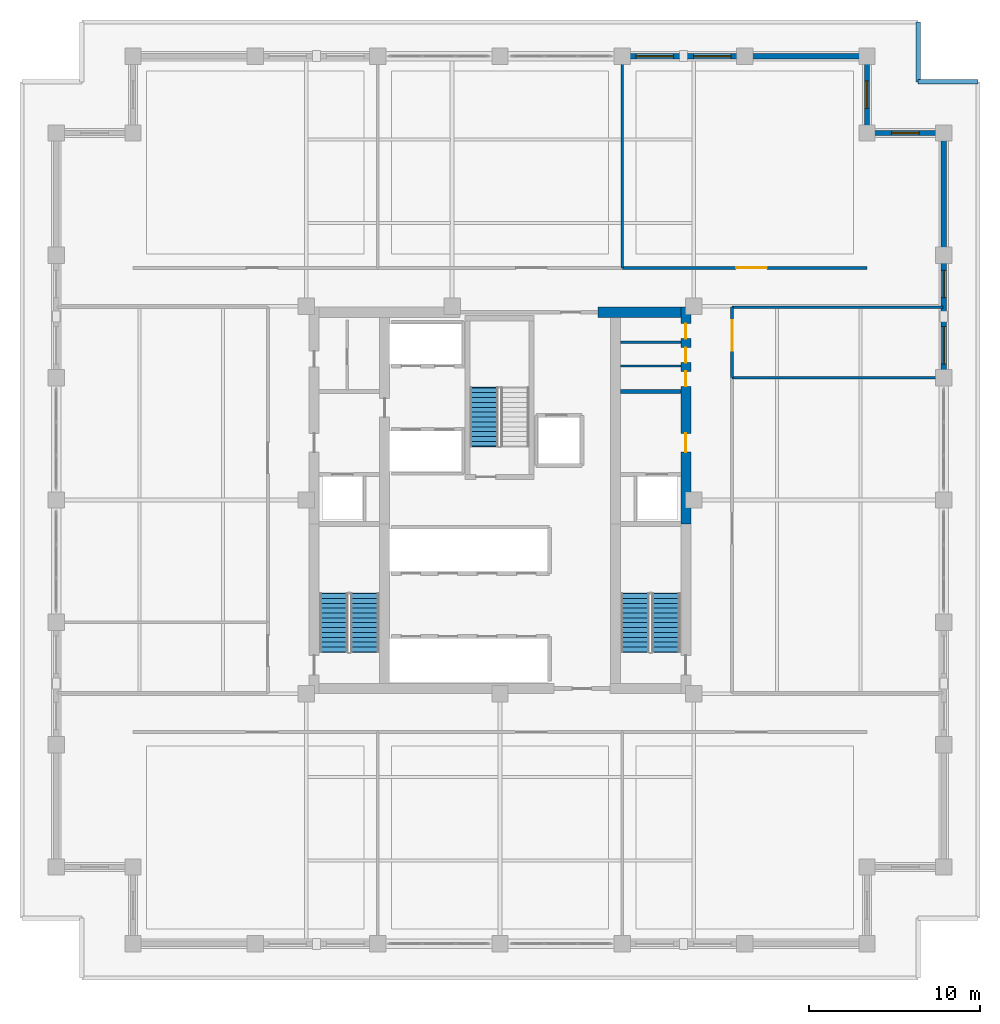
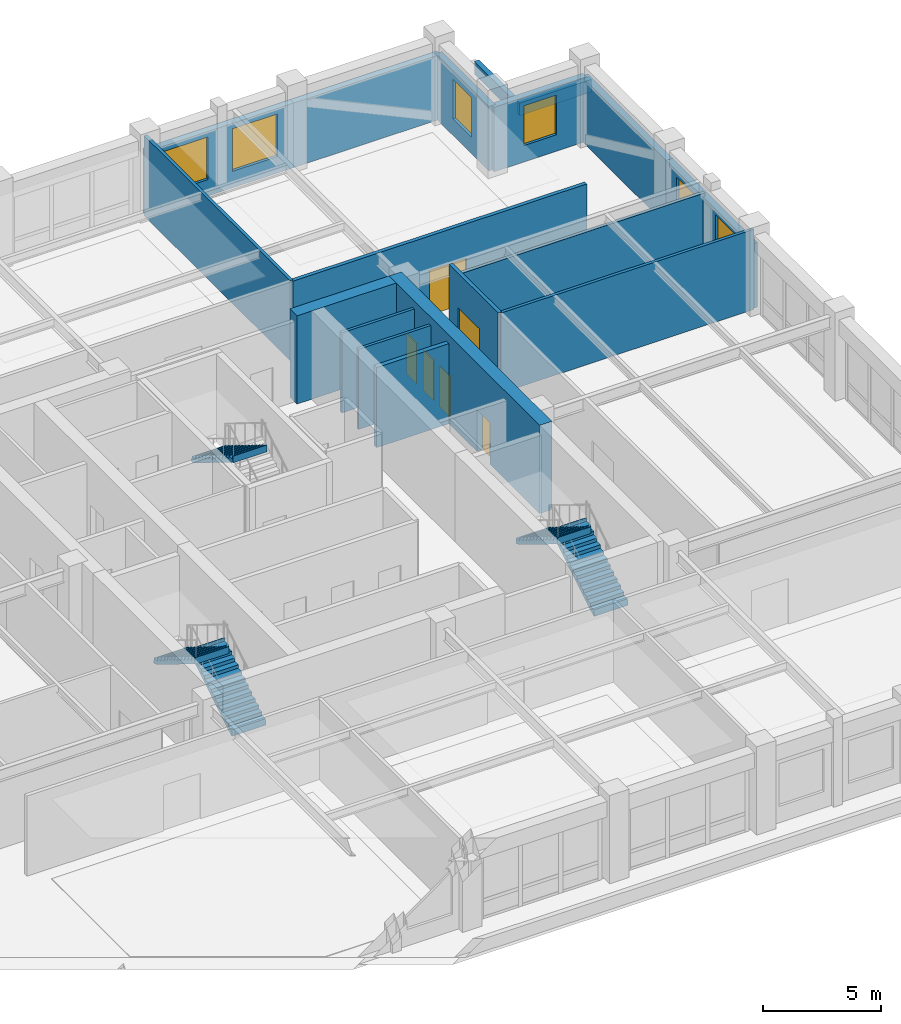
# One storey, part 11 of 16: 18 walls, 6 doors, 6 windows, 5 stair flights, 12 openings, 3 elements without a shape of their own.
"""IFC4 building model written with IfcOpenShell, lengths in metres."""

from ifc_helpers import new_model, si_unit, direction, frame, frame_2d, origin, place, context, subcontext, project, spatial, polyline, rectangle, outline, extrude, material, layer, layer_set, type_object, element, fill, aggregate, save


model = new_model("IFC4")

# Units and contexts
model_context = context("Model", 3, precision=1e-05, world=origin(), true_north=direction((0.0, 1.0)))
body_context = subcontext(model_context, "Body", "Model", "MODEL_VIEW")
ifc_project = project(units=[si_unit("LENGTHUNIT", "METRE"), si_unit("AREAUNIT", "SQUARE_METRE"), si_unit("VOLUMEUNIT", "CUBIC_METRE"), si_unit("PLANEANGLEUNIT", "RADIAN"), si_unit("MASSUNIT", "GRAM", prefix="KILO")], contexts=[model_context])

# Site, building, storey
site_placement = place(None, origin())
site = spatial("IfcSite", under=ifc_project, at=site_placement, CompositionType="ELEMENT")
building_placement = place(site_placement, origin())
building = spatial("IfcBuilding", under=site, at=building_placement, Name="Nhamokura Convention Tower", CompositionType="ELEMENT")
storey_placement = place(building_placement, frame((0.0, 0.0, 106.050048828125)))
storey = spatial("IfcBuildingStorey", under=building, at=storey_placement, Name="L25", CompositionType="ELEMENT", Elevation=106.050048828125)

# Walls
ifc_material_1 = material(Name="Moisture-resistant tile-backer partition", Category="masonry")
ifc_layer_1 = layer(ifc_material_1, 0.139892578125)
ifc_layer_set_1 = layer_set([ifc_layer_1], Name="BathroomWetWall_140")
wall_type_1 = type_object("IfcWallType", Name="BathroomWetWall_140", PredefinedType="STANDARD", material=ifc_layer_set_1)
for number, where, z_axis, x_axis, name in (
    (1, (39.06005859375, 39.85009765625, 0.0), (0.0, 0.0, 1.0), (1.0, 0.0, 0.0), "L25 Wall INT-L25-CWNE1"),
    (2, (39.06005859375, 41.25, 0.0), (0.0, 0.0, 1.0), (1.0, 0.0, 0.0), "L25 Wall INT-L25-CWNE2"),
):
    element("IfcWall", number, at=place(storey_placement, frame(where, z_axis=z_axis, x_axis=x_axis)), inside=storey, type_object=wall_type_1, Name=name, PredefinedType="STANDARD", context=body_context, shape_type="SweptSolid", body=[
        extrude(rectangle(XDim=3.530029296875, YDim=0.139892578125, at=frame_2d((1.76513671875, 0.0))), origin(), (0.0, 0.0, 1.0), 4.1298828125),
    ])

# Wall, openings, windows
ifc_material_2 = material(Name="Bronze-pigmented precast concrete C45/55", Category="concrete")
ifc_layer_2 = layer(ifc_material_2, 0.320068359375)
ifc_layer_set_2 = layer_set([ifc_layer_2], Name="BronzePrecastSpandrel_320")
wall_type_2 = type_object("IfcWallType", Name="BronzePrecastSpandrel_320", PredefinedType="USERDEFINED", material=ifc_layer_set_2)
wall_1_placement = place(storey_placement, frame((39.166748046875, 58.0, 0.0), z_axis=(0.0, 0.0, 1.0), x_axis=(1.0, 0.0, 0.0)))
wall_1 = element("IfcWall", 3, at=wall_1_placement, inside=storey, type_object=wall_type_2, Name="L25 Masonry-Frame Wall NORTH 4", ObjectType="SPANDREL_WALL", PredefinedType="USERDEFINED", context=body_context, shape_type="SweptSolid", body=[
    extrude(rectangle(XDim=7.16650390625, YDim=0.320068359375, at=frame_2d((3.583251953125, 0.0))), origin(), (0.0, 0.0, 1.0), 3.329833984375),
])
opening_1_placement = place(wall_1_placement, frame((0.791748046875, 0.0, 0.85009765625)))
opening_1 = element("IfcOpeningElement", 4, at=opening_1_placement, cuts=wall_1, Name="Opening W-06", PredefinedType="OPENING", context=body_context, shape_type="SweptSolid", body=[
    extrude(rectangle(XDim=2.199951171875, YDim=2.199951171875, at=frame_2d((1.10009765625, 1.10009765625))), frame((0.0, 0.169921875, 0.0), z_axis=(0.0, -1.0, 0.0), x_axis=(1.0, 0.0, 0.0)), (0.0, 0.0, 1.0), 0.340087890625),
])
opening_2_placement = place(wall_1_placement, frame((4.175048828125, 0.0, 0.85009765625)))
opening_2 = element("IfcOpeningElement", 5, at=opening_2_placement, cuts=wall_1, Name="Opening W-06", PredefinedType="OPENING", context=body_context, shape_type="SweptSolid", body=[
    extrude(rectangle(XDim=2.199951171875, YDim=2.199951171875, at=frame_2d((1.10009765625, 1.10009765625))), frame((0.0, 0.169921875, 0.0), z_axis=(0.0, -1.0, 0.0), x_axis=(1.0, 0.0, 0.0)), (0.0, 0.0, 1.0), 0.340087890625),
])
ifc_material_3 = material(Name="Solar-control bronze low-E double glass", Category="glass")
window_type_1 = type_object("IfcWindowType", Name="OfficeModuleWindow_Z2_2200", PartitioningType="SINGLE_PANEL", PredefinedType="WINDOW", material=ifc_material_3)
window_1_placement = place(opening_1_placement, origin())
window_1 = element("IfcWindow", 6, at=window_1_placement, inside=storey, type_object=window_type_1, Name="L25 Facade Window NORTH 4-1", OverallHeight=2.199951171875, OverallWidth=2.199951171875, PartitioningType="SINGLE_PANEL", PredefinedType="WINDOW", context=body_context, shape_type="SweptSolid", body=[
    extrude(rectangle(XDim=2.199951171875, YDim=2.199951171875, at=frame_2d((1.10009765625, 1.10009765625))), frame((0.0, 0.030029296875, 0.0), z_axis=(0.0, -1.0, 0.0), x_axis=(1.0, 0.0, 0.0)), (0.0, 0.0, 1.0), 0.06005859375),
])
fill(opening_1, window_1)
window_2_placement = place(opening_2_placement, origin())
window_2 = element("IfcWindow", 7, at=window_2_placement, inside=storey, type_object=window_type_1, Name="L25 Facade Window NORTH 4-2", OverallHeight=2.199951171875, OverallWidth=2.199951171875, PartitioningType="SINGLE_PANEL", PredefinedType="WINDOW", context=body_context, shape_type="SweptSolid", body=[
    extrude(rectangle(XDim=2.199951171875, YDim=2.199951171875, at=frame_2d((1.10009765625, 1.10009765625))), frame((0.0, 0.030029296875, 0.0), z_axis=(0.0, -1.0, 0.0), x_axis=(1.0, 0.0, 0.0)), (0.0, 0.0, 1.0), 0.06005859375),
])
fill(opening_2, window_2)

# Wall
wall_2_placement = place(storey_placement, frame((46.333251953125, 58.0, 0.0), z_axis=(0.0, 0.0, 1.0), x_axis=(1.0, 0.0, 0.0)))
element("IfcWall", 8, at=wall_2_placement, inside=storey, type_object=wall_type_2, Name="L25 Braced-Bay Precast Wall NORTH 5", ObjectType="SPANDREL_WALL", PredefinedType="USERDEFINED", context=body_context, shape_type="SweptSolid", body=[
    extrude(rectangle(XDim=7.166748046875, YDim=0.320068359375, at=frame_2d((3.58349609375, 0.0))), origin(), (0.0, 0.0, 1.0), 3.329833984375),
])

# Wall, openings, windows
wall_3_placement = place(storey_placement, frame((58.0, 46.333251953125, 0.0), z_axis=(0.0, 0.0, 1.0), x_axis=(0.0, -1.0, 0.0)))
wall_3 = element("IfcWall", 9, at=wall_3_placement, inside=storey, type_object=wall_type_2, Name="L25 Masonry-Frame Wall EAST 4", ObjectType="SPANDREL_WALL", PredefinedType="USERDEFINED", context=body_context, shape_type="SweptSolid", body=[
    extrude(rectangle(XDim=7.16650390625, YDim=0.320068359375, at=frame_2d((3.583251953125, 0.0))), origin(), (0.0, 0.0, 1.0), 3.329833984375),
])
opening_3_placement = place(wall_3_placement, frame((0.879150390625, 0.0, 0.85009765625)))
opening_3 = element("IfcOpeningElement", 10, at=opening_3_placement, cuts=wall_3, Name="Opening W-11", PredefinedType="OPENING", context=body_context, shape_type="SweptSolid", body=[
    extrude(rectangle(XDim=1.60009765625, YDim=2.14990234375, at=frame_2d((0.800048828125, 1.074951171875))), frame((0.0, 0.169921875, 0.0), z_axis=(0.0, -1.0, 0.0), x_axis=(1.0, 0.0, 0.0)), (0.0, 0.0, 1.0), 0.340087890625),
])
opening_4_placement = place(wall_3_placement, frame((4.175048828125, 0.0, 0.85009765625)))
opening_4 = element("IfcOpeningElement", 11, at=opening_4_placement, cuts=wall_3, Name="Opening W-06", PredefinedType="OPENING", context=body_context, shape_type="SweptSolid", body=[
    extrude(rectangle(XDim=2.199951171875, YDim=2.199951171875, at=frame_2d((1.10009765625, 1.10009765625))), frame((0.0, 0.169921875, 0.0), z_axis=(0.0, -1.0, 0.0), x_axis=(1.0, 0.0, 0.0)), (0.0, 0.0, 1.0), 0.340087890625),
])
ifc_material_4 = material(Name="Solar-control bronze low-E double glass", Category="glass")
window_type_2 = type_object("IfcWindowType", Name="NotchCornerWindow_1600", PartitioningType="SINGLE_PANEL", PredefinedType="WINDOW", material=ifc_material_4)
window_3_placement = place(opening_3_placement, origin())
window_3 = element("IfcWindow", 12, at=window_3_placement, inside=storey, type_object=window_type_2, Name="L25 Facade Window EAST 4-1", OverallHeight=2.14990234375, OverallWidth=1.60009765625, PartitioningType="SINGLE_PANEL", PredefinedType="WINDOW", context=body_context, shape_type="SweptSolid", body=[
    extrude(rectangle(XDim=1.60009765625, YDim=2.14990234375, at=frame_2d((0.800048828125, 1.074951171875))), frame((0.0, 0.030029296875, 0.0), z_axis=(0.0, -1.0, 0.0), x_axis=(1.0, 0.0, 0.0)), (0.0, 0.0, 1.0), 0.06005859375),
])
fill(opening_3, window_3)
window_4_placement = place(opening_4_placement, origin())
window_4 = element("IfcWindow", 13, at=window_4_placement, inside=storey, type_object=window_type_1, Name="L25 Facade Window EAST 4-2", OverallHeight=2.199951171875, OverallWidth=2.199951171875, PartitioningType="SINGLE_PANEL", PredefinedType="WINDOW", context=body_context, shape_type="SweptSolid", body=[
    extrude(rectangle(XDim=2.199951171875, YDim=2.199951171875, at=frame_2d((1.10009765625, 1.10009765625))), frame((0.0, 0.030029296875, 0.0), z_axis=(0.0, -1.0, 0.0), x_axis=(1.0, 0.0, 0.0)), (0.0, 0.0, 1.0), 0.06005859375),
])
fill(opening_4, window_4)

# Wall
wall_4_placement = place(storey_placement, frame((58.0, 53.5, 0.0), z_axis=(0.0, 0.0, 1.0), x_axis=(0.0, -1.0, 0.0)))
element("IfcWall", 14, at=wall_4_placement, inside=storey, type_object=wall_type_2, Name="L25 Braced-Bay Precast Wall EAST 5", ObjectType="SPANDREL_WALL", PredefinedType="USERDEFINED", context=body_context, shape_type="SweptSolid", body=[
    extrude(rectangle(XDim=7.166748046875, YDim=0.320068359375, at=frame_2d((3.58349609375, 0.0))), origin(), (0.0, 0.0, 1.0), 3.329833984375),
])

# Wall, opening, window
wall_5_placement = place(storey_placement, frame((53.5, 53.5, 0.0), z_axis=(0.0, 0.0, 1.0), x_axis=(1.0, 0.0, 0.0)))
wall_5 = element("IfcWall", 15, at=wall_5_placement, inside=storey, type_object=wall_type_2, Name="L25 Notched Corner Wall NE1", ObjectType="SPANDREL_WALL", PredefinedType="USERDEFINED", context=body_context, shape_type="SweptSolid", body=[
    extrude(rectangle(XDim=4.5, YDim=0.320068359375, at=frame_2d((2.25, 0.0))), origin(), (0.0, 0.0, 1.0), 3.329833984375),
])
opening_5_placement = place(wall_5_placement, frame((1.449951171875, 0.0, 0.85009765625)))
opening_5 = element("IfcOpeningElement", 16, at=opening_5_placement, cuts=wall_5, Name="Opening W-11", PredefinedType="OPENING", context=body_context, shape_type="SweptSolid", body=[
    extrude(rectangle(XDim=1.60009765625, YDim=2.050048828125, at=frame_2d((0.800048828125, 1.02490234375))), frame((0.0, 0.169921875, 0.0), z_axis=(0.0, -1.0, 0.0), x_axis=(1.0, 0.0, 0.0)), (0.0, 0.0, 1.0), 0.340087890625),
])
window_5_placement = place(opening_5_placement, origin())
window_5 = element("IfcWindow", 17, at=window_5_placement, inside=storey, type_object=window_type_2, Name="L25 Notched Corner Window NE1", OverallHeight=2.050048828125, OverallWidth=1.60009765625, PartitioningType="SINGLE_PANEL", PredefinedType="WINDOW", context=body_context, shape_type="SweptSolid", body=[
    extrude(rectangle(XDim=1.60009765625, YDim=2.050048828125, at=frame_2d((0.800048828125, 1.02490234375))), frame((0.0, 0.030029296875, 0.0), z_axis=(0.0, -1.0, 0.0), x_axis=(1.0, 0.0, 0.0)), (0.0, 0.0, 1.0), 0.06005859375),
])
fill(opening_5, window_5)

wall_6_placement = place(storey_placement, frame((53.5, 58.0, 0.0), z_axis=(0.0, 0.0, 1.0), x_axis=(0.0, -1.0, 0.0)))
wall_6 = element("IfcWall", 18, at=wall_6_placement, inside=storey, type_object=wall_type_2, Name="L25 Notched Corner Wall NE2", ObjectType="SPANDREL_WALL", PredefinedType="USERDEFINED", context=body_context, shape_type="SweptSolid", body=[
    extrude(rectangle(XDim=4.5, YDim=0.320068359375, at=frame_2d((2.25, 0.0))), origin(), (0.0, 0.0, 1.0), 3.329833984375),
])
opening_6_placement = place(wall_6_placement, frame((1.449951171875, 0.0, 0.85009765625)))
opening_6 = element("IfcOpeningElement", 19, at=opening_6_placement, cuts=wall_6, Name="Opening W-11", PredefinedType="OPENING", context=body_context, shape_type="SweptSolid", body=[
    extrude(rectangle(XDim=1.60009765625, YDim=2.050048828125, at=frame_2d((0.800048828125, 1.02490234375))), frame((0.0, 0.169921875, 0.0), z_axis=(0.0, -1.0, 0.0), x_axis=(1.0, 0.0, 0.0)), (0.0, 0.0, 1.0), 0.340087890625),
])
window_6_placement = place(opening_6_placement, origin())
window_6 = element("IfcWindow", 20, at=window_6_placement, inside=storey, type_object=window_type_2, Name="L25 Notched Corner Window NE2", OverallHeight=2.050048828125, OverallWidth=1.60009765625, PartitioningType="SINGLE_PANEL", PredefinedType="WINDOW", context=body_context, shape_type="SweptSolid", body=[
    extrude(rectangle(XDim=1.60009765625, YDim=2.050048828125, at=frame_2d((0.800048828125, 1.02490234375))), frame((0.0, 0.030029296875, 0.0), z_axis=(0.0, -1.0, 0.0), x_axis=(1.0, 0.0, 0.0)), (0.0, 0.0, 1.0), 0.06005859375),
])
fill(opening_6, window_6)

# Wall, openings, doors
ifc_material_5 = material(Name="Concrete C60/75", Category="concrete")
ifc_layer_3 = layer(ifc_material_5, 0.60009765625)
ifc_layer_set_3 = layer_set([ifc_layer_3], Name="CoreShearWall_600")
wall_type_3 = type_object("IfcWallType", Name="CoreShearWall_600", PredefinedType="SHEAR", material=ifc_layer_set_3)
wall_7_placement = place(storey_placement, frame((42.889892578125, 30.60009765625, 0.0), z_axis=(0.0, 0.0, 1.0), x_axis=(0.0, 1.0, 0.0)))
wall_7 = element("IfcWall", 21, at=wall_7_placement, inside=storey, type_object=wall_type_3, Name="L25 Core Shear Wall CW-EN", PredefinedType="SHEAR", context=body_context, shape_type="SweptSolid", body=[
    extrude(rectangle(XDim=12.699951171875, YDim=0.60009765625, at=frame_2d((6.35009765625, 0.0))), origin(), (0.0, 0.0, 1.0), 4.550048828125),
])
opening_7_placement = place(wall_7_placement, frame((4.199951171875, 0.0, 0.0)))
opening_7 = element("IfcOpeningElement", 22, at=opening_7_placement, cuts=wall_7, Name="Opening D-05", PredefinedType="OPENING", context=body_context, shape_type="SweptSolid", body=[
    extrude(rectangle(XDim=1.10009765625, YDim=2.14990234375, at=frame_2d((0.550048828125, 1.074951171875))), frame((0.0, 0.31005859375, 0.0), z_axis=(0.0, -1.0, 0.0), x_axis=(1.0, 0.0, 0.0)), (0.0, 0.0, 1.0), 0.6201171875),
])
opening_8_placement = place(wall_7_placement, frame((8.050048828125, 0.0, 0.0)))
opening_8 = element("IfcOpeningElement", 23, at=opening_8_placement, cuts=wall_7, Name="Opening D-11", PredefinedType="OPENING", context=body_context, shape_type="SweptSolid", body=[
    extrude(rectangle(XDim=0.8798828125, YDim=2.10009765625, at=frame_2d((0.43994140625, 1.050048828125))), frame((0.0, 0.31005859375, 0.0), z_axis=(0.0, -1.0, 0.0), x_axis=(1.0, 0.0, 0.0)), (0.0, 0.0, 1.0), 0.6201171875),
])
opening_9_placement = place(wall_7_placement, frame((9.449951171875, 0.0, 0.0)))
opening_9 = element("IfcOpeningElement", 24, at=opening_9_placement, cuts=wall_7, Name="Opening D-11", PredefinedType="OPENING", context=body_context, shape_type="SweptSolid", body=[
    extrude(rectangle(XDim=0.8798828125, YDim=2.10009765625, at=frame_2d((0.43994140625, 1.050048828125))), frame((0.0, 0.31005859375, 0.0), z_axis=(0.0, -1.0, 0.0), x_axis=(1.0, 0.0, 0.0)), (0.0, 0.0, 1.0), 0.6201171875),
])
opening_10_placement = place(wall_7_placement, frame((10.85009765625, 0.0, 0.0)))
opening_10 = element("IfcOpeningElement", 25, at=opening_10_placement, cuts=wall_7, Name="Opening D-11", PredefinedType="OPENING", context=body_context, shape_type="SweptSolid", body=[
    extrude(rectangle(XDim=0.8798828125, YDim=2.10009765625, at=frame_2d((0.43994140625, 1.050048828125))), frame((0.0, 0.31005859375, 0.0), z_axis=(0.0, -1.0, 0.0), x_axis=(1.0, 0.0, 0.0)), (0.0, 0.0, 1.0), 0.6201171875),
])
ifc_material_6 = material(Name="Solid oak hardwood", Category="wood")
door_type_1 = type_object("IfcDoorType", Name="BathroomDoor_880", OperationType="NOTDEFINED", PredefinedType="DOOR", material=ifc_material_6)
door_1_placement = place(opening_8_placement, origin())
door_1 = element("IfcDoor", 26, at=door_1_placement, inside=storey, type_object=door_type_1, Name="L25 Core Door INT-L25-D-MWC", OperationType="SINGLE_SWING_LEFT", OverallHeight=2.10009765625, OverallWidth=0.8798828125, PredefinedType="DOOR", context=body_context, shape_type="SweptSolid", body=[
    extrude(rectangle(XDim=0.8798828125, YDim=2.10009765625, at=frame_2d((0.43994140625, 1.050048828125))), frame((0.0, 0.02490234375, 0.0), z_axis=(0.0, -1.0, 0.0), x_axis=(1.0, 0.0, 0.0)), (0.0, 0.0, 1.0), 0.050048828125),
])
fill(opening_8, door_1)
door_2_placement = place(opening_9_placement, origin())
door_2 = element("IfcDoor", 27, at=door_2_placement, inside=storey, type_object=door_type_1, Name="L25 Core Door INT-L25-D-FWC", OperationType="SINGLE_SWING_RIGHT", OverallHeight=2.10009765625, OverallWidth=0.8798828125, PredefinedType="DOOR", context=body_context, shape_type="SweptSolid", body=[
    extrude(rectangle(XDim=0.8798828125, YDim=2.10009765625, at=frame_2d((0.43994140625, 1.050048828125))), frame((0.0, 0.02490234375, 0.0), z_axis=(0.0, -1.0, 0.0), x_axis=(1.0, 0.0, 0.0)), (0.0, 0.0, 1.0), 0.050048828125),
])
fill(opening_9, door_2)
door_3_placement = place(opening_10_placement, origin())
door_3 = element("IfcDoor", 28, at=door_3_placement, inside=storey, type_object=door_type_1, Name="L25 Core Door INT-L25-D-ARC", OperationType="SINGLE_SWING_LEFT", OverallHeight=2.10009765625, OverallWidth=0.8798828125, PredefinedType="DOOR", context=body_context, shape_type="SweptSolid", body=[
    extrude(rectangle(XDim=0.8798828125, YDim=2.10009765625, at=frame_2d((0.43994140625, 1.050048828125))), frame((0.0, 0.02490234375, 0.0), z_axis=(0.0, -1.0, 0.0), x_axis=(1.0, 0.0, 0.0)), (0.0, 0.0, 1.0), 0.050048828125),
])
fill(opening_10, door_3)
ifc_material_7 = material(Name="Fire-rated steel door", Category="steel")
door_type_2 = type_object("IfcDoorType", Name="FireLobbyDoor_1100", OperationType="NOTDEFINED", PredefinedType="DOOR", material=ifc_material_7)
door_4_placement = place(opening_7_placement, origin())
door_4 = element("IfcDoor", 29, at=door_4_placement, inside=storey, type_object=door_type_2, Name="L25 Core Door INT-L25-D-FFLE", OperationType="SINGLE_SWING_LEFT", OverallHeight=2.14990234375, OverallWidth=1.10009765625, PredefinedType="DOOR", context=body_context, shape_type="SweptSolid", body=[
    extrude(rectangle(XDim=1.10009765625, YDim=2.14990234375, at=frame_2d((0.550048828125, 1.074951171875))), frame((0.0, 0.02490234375, 0.0), z_axis=(0.0, -1.0, 0.0), x_axis=(1.0, 0.0, 0.0)), (0.0, 0.0, 1.0), 0.050048828125),
])
fill(opening_7, door_4)

# Wall
wall_8_placement = place(storey_placement, frame((37.75, 43.0, 0.0), z_axis=(0.0, 0.0, 1.0), x_axis=(1.0, 0.0, 0.0)))
element("IfcWall", 30, at=wall_8_placement, inside=storey, type_object=wall_type_3, Name="L25 Core Shear Wall CW-N2", PredefinedType="SHEAR", context=body_context, shape_type="SweptSolid", body=[
    extrude(rectangle(XDim=4.840087890625, YDim=0.60009765625, at=frame_2d((2.419921875, 0.0))), origin(), (0.0, 0.0, 1.0), 4.550048828125),
])

# Wall, opening, door
ifc_material_8 = material(Name="Fire-rated gypsum and masonry partition", Category="masonry")
ifc_layer_4 = layer(ifc_material_8, 0.179931640625)
ifc_layer_set_4 = layer_set([ifc_layer_4], Name="CorridorRatedWall_180")
wall_type_4 = type_object("IfcWallType", Name="CorridorRatedWall_180", PredefinedType="STANDARD", material=ifc_layer_set_4)
wall_9_placement = place(storey_placement, frame((39.166748046875, 45.60009765625, 0.0), z_axis=(0.0, 0.0, 1.0), x_axis=(1.0, 0.0, 0.0)))
wall_9 = element("IfcWall", 31, at=wall_9_placement, inside=storey, type_object=wall_type_4, Name="L25 Wall INT-L25-CW-N02", PredefinedType="STANDARD", context=body_context, shape_type="SweptSolid", body=[
    extrude(rectangle(XDim=14.333251953125, YDim=0.179931640625, at=frame_2d((7.16650390625, 0.0))), origin(), (0.0, 0.0, 1.0), 4.1298828125),
])
opening_11_placement = place(wall_9_placement, frame((6.66650390625, 0.0, 0.0)))
opening_11 = element("IfcOpeningElement", 32, at=opening_11_placement, cuts=wall_9, Name="Opening D-03", PredefinedType="OPENING", context=body_context, shape_type="SweptSolid", body=[
    extrude(rectangle(XDim=1.800048828125, YDim=2.35009765625, at=frame_2d((0.89990234375, 1.175048828125))), frame((0.0, 0.099853515625, 0.0), z_axis=(0.0, -1.0, 0.0), x_axis=(1.0, 0.0, 0.0)), (0.0, 0.0, 1.0), 0.199951171875),
])
ifc_material_9 = material(Name="Solid oak hardwood", Category="wood")
door_type_3 = type_object("IfcDoorType", Name="BallroomDoubleDoor_1800", OperationType="DOUBLE_DOOR_SINGLE_SWING", PredefinedType="DOOR", material=ifc_material_9)
door_5_placement = place(opening_11_placement, origin())
door_5 = element("IfcDoor", 33, at=door_5_placement, inside=storey, type_object=door_type_3, Name="L25 Private Office N03 Door", OperationType="SINGLE_SWING_LEFT", OverallHeight=2.35009765625, OverallWidth=1.800048828125, PredefinedType="DOOR", context=body_context, shape_type="SweptSolid", body=[
    extrude(rectangle(XDim=1.800048828125, YDim=2.35009765625, at=frame_2d((0.89990234375, 1.175048828125))), frame((0.0, 0.02490234375, 0.0), z_axis=(0.0, -1.0, 0.0), x_axis=(1.0, 0.0, 0.0)), (0.0, 0.0, 1.0), 0.050048828125),
])
fill(opening_11, door_5)

wall_10_placement = place(storey_placement, frame((45.60009765625, 39.166748046875, 0.0), z_axis=(0.0, 0.0, 1.0), x_axis=(0.0, 1.0, 0.0)))
wall_10 = element("IfcWall", 34, at=wall_10_placement, inside=storey, type_object=wall_type_4, Name="L25 Wall INT-L25-CW-E01", PredefinedType="STANDARD", context=body_context, shape_type="SweptSolid", body=[
    extrude(rectangle(XDim=4.13330078125, YDim=0.179931640625, at=frame_2d((2.066650390625, 0.0))), origin(), (0.0, 0.0, 1.0), 4.1298828125),
])
opening_12_placement = place(wall_10_placement, frame((1.566650390625, 0.0, 0.0)))
opening_12 = element("IfcOpeningElement", 35, at=opening_12_placement, cuts=wall_10, Name="Opening D-03", PredefinedType="OPENING", context=body_context, shape_type="SweptSolid", body=[
    extrude(rectangle(XDim=1.800048828125, YDim=2.35009765625, at=frame_2d((0.89990234375, 1.175048828125))), frame((0.0, 0.099853515625, 0.0), z_axis=(0.0, -1.0, 0.0), x_axis=(1.0, 0.0, 0.0)), (0.0, 0.0, 1.0), 0.199951171875),
])
door_6_placement = place(opening_12_placement, origin())
door_6 = element("IfcDoor", 36, at=door_6_placement, inside=storey, type_object=door_type_3, Name="L25 Private Office E02 Door", OperationType="SINGLE_SWING_RIGHT", OverallHeight=2.35009765625, OverallWidth=1.800048828125, PredefinedType="DOOR", context=body_context, shape_type="SweptSolid", body=[
    extrude(rectangle(XDim=1.800048828125, YDim=2.35009765625, at=frame_2d((0.89990234375, 1.175048828125))), frame((0.0, 0.02490234375, 0.0), z_axis=(0.0, -1.0, 0.0), x_axis=(1.0, 0.0, 0.0)), (0.0, 0.0, 1.0), 0.050048828125),
])
fill(opening_12, door_6)

# Walls
ifc_material_10 = material(Name="Autoclaved concrete blockwork", Category="masonry")
ifc_layer_5 = layer(ifc_material_10, 0.219970703125)
ifc_layer_set_5 = layer_set([ifc_layer_5], Name="FireLobbyWall_220")
wall_type_5 = type_object("IfcWallType", Name="FireLobbyWall_220", PredefinedType="STANDARD", material=ifc_layer_set_5)
wall_11_placement = place(storey_placement, frame((39.06005859375, 38.35009765625, 0.0), z_axis=(0.0, 0.0, 1.0), x_axis=(1.0, 0.0, 0.0)))
element("IfcWall", 37, at=wall_11_placement, inside=storey, type_object=wall_type_5, Name="L25 Wall INT-L25-FFE-N", PredefinedType="STANDARD", context=body_context, shape_type="SweptSolid", body=[
    extrude(rectangle(XDim=3.530029296875, YDim=0.219970703125, at=frame_2d((1.76513671875, 0.0))), origin(), (0.0, 0.0, 1.0), 4.1298828125),
])
ifc_material_11 = material(Name="Acoustic gypsum stud partition", Category="masonry")
ifc_layer_6 = layer(ifc_material_11, 0.14990234375)
ifc_layer_set_6 = layer_set([ifc_layer_6], Name="InteriorPartition_150")
wall_type_6 = type_object("IfcWallType", Name="InteriorPartition_150", PredefinedType="STANDARD", material=ifc_layer_set_6)
wall_12_placement = place(storey_placement, frame((39.166748046875, 45.60009765625, 0.0), z_axis=(0.0, 0.0, 1.0), x_axis=(0.0, 1.0, 0.0)))
element("IfcWall", 38, at=wall_12_placement, inside=storey, type_object=wall_type_6, Name="L25 Wall INT-L25-RW-N02", PredefinedType="STANDARD", context=body_context, shape_type="SweptSolid", body=[
    extrude(rectangle(XDim=12.33984375, YDim=0.14990234375, at=frame_2d((6.169921875, 0.0))), origin(), (0.0, 0.0, 1.0), 4.1298828125),
])
wall_13_placement = place(storey_placement, frame((45.60009765625, 43.300048828125, 0.0), z_axis=(0.0, 0.0, 1.0), x_axis=(1.0, 0.0, 0.0)))
element("IfcWall", 39, at=wall_13_placement, inside=storey, type_object=wall_type_6, Name="L25 Wall INT-L25-RWT-E", PredefinedType="STANDARD", context=body_context, shape_type="SweptSolid", body=[
    extrude(rectangle(XDim=12.33984375, YDim=0.14990234375, at=frame_2d((6.169921875, 0.0))), origin(), (0.0, 0.0, 1.0), 3.5009765625),
])
wall_14_placement = place(storey_placement, frame((45.60009765625, 39.166748046875, 0.0), z_axis=(0.0, 0.0, 1.0), x_axis=(1.0, 0.0, 0.0)))
element("IfcWall", 40, at=wall_14_placement, inside=storey, type_object=wall_type_6, Name="L25 Wall INT-L25-RW-E01", PredefinedType="STANDARD", context=body_context, shape_type="SweptSolid", body=[
    extrude(rectangle(XDim=12.33984375, YDim=0.14990234375, at=frame_2d((6.169921875, 0.0))), origin(), (0.0, 0.0, 1.0), 4.1298828125),
])
ifc_material_12 = material(Name="Bronze-pigmented precast concrete C45/55", Category="concrete")
ifc_layer_7 = layer(ifc_material_12, 0.239990234375)
ifc_layer_set_7 = layer_set([ifc_layer_7], Name="TerraceParapet_240")
wall_type_7 = type_object("IfcWallType", Name="TerraceParapet_240", PredefinedType="PARAPET", material=ifc_layer_set_7)
for number, where, z_axis, x_axis, name in (
    (41, (60.0, 56.5, 0.0), (0.0, 0.0, 1.0), (-1.0, 0.0, 0.0), "L25 Setback Roof Parapet 04"),
    (42, (56.5, 56.5, 0.0), (0.0, 0.0, 1.0), (0.0, 1.0, 0.0), "L25 Setback Roof Parapet 05"),
):
    element("IfcWall", number, at=place(storey_placement, frame(where, z_axis=z_axis, x_axis=x_axis)), inside=storey, type_object=wall_type_7, Name=name, PredefinedType="PARAPET", context=body_context, shape_type="SweptSolid", body=[
        extrude(rectangle(XDim=3.5, YDim=0.239990234375, at=frame_2d((1.75, 0.0))), origin(), (0.0, 0.0, 1.0), 0.64990234375),
    ])

# Stair, stair flights
ifc_material_13 = material(Name="Concrete C40/50", Category="concrete")
stair_type = type_object("IfcStairType", Name="TowerCoreStair_1650", PredefinedType="HALF_TURN_STAIR", material=ifc_material_13)
stair_1_placement = place(storey_placement, origin())
stair_1 = element("IfcStair", 43, at=stair_1_placement, inside=storey, type_object=stair_type, Name="L25 West Core Smokeproof Stair ST-01", PredefinedType="HALF_TURN_STAIR")
ifc_material_14 = material(Name="Concrete C40/50", Category="concrete")
stair_flight_type = type_object("IfcStairFlightType", Name="TowerCoreStair_1650_Flight", PredefinedType="STRAIGHT", material=ifc_material_14)
stair_flight_1_placement = place(storey_placement, frame((24.074951171875, 23.10009765625, 0.0), z_axis=(0.0, 0.0, 1.0), x_axis=(0.0, 1.0, 0.0)))
stair_flight_1 = element("IfcStairFlight", 44, at=stair_flight_1_placement, type_object=stair_flight_type, Name="ST-01 flight 1", NumberOfRisers=13, NumberOfTreads=12, PredefinedType="STRAIGHT", RiserHeight=0.175, TreadLength=0.285, context=body_context, shape_type="SweptSolid", body=[
    extrude(outline(polyline([(-0.0419921875, 0.0), (0.0, 0.175048828125), (0.284912109375, 0.175048828125), (0.284912109375, 0.35009765625), (0.570068359375, 0.35009765625), (0.570068359375, 0.52490234375), (0.85498046875, 0.52490234375), (0.85498046875, 0.699951171875), (1.139892578125, 0.699951171875), (1.139892578125, 0.875), (1.425048828125, 0.875), (1.425048828125, 1.050048828125), (1.7099609375, 1.050048828125), (1.7099609375, 1.22509765625), (1.9951171875, 1.22509765625), (1.9951171875, 1.39990234375), (2.280029296875, 1.39990234375), (2.280029296875, 1.574951171875), (2.56494140625, 1.574951171875), (2.56494140625, 1.75), (2.85009765625, 1.75), (2.85009765625, 1.925048828125), (3.135009765625, 1.925048828125), (3.135009765625, 2.10009765625), (3.419921875, 2.10009765625), (3.419921875, 2.27490234375), (3.4619140625, 2.27490234375), (3.4619140625, 1.924072265625), (3.419921875, 1.924072265625), (0.286376953125, 0.0), (0.02001953125, -0.1298828125), (-0.0419921875, -0.1298828125), (-0.0419921875, 0.0)])), frame((0.0, 0.824951171875, 0.0), z_axis=(0.0, -1.0, 0.0), x_axis=(1.0, 0.0, 0.0)), (0.0, 0.0, 1.0), 1.64990234375),
])
stair_flight_2_placement = place(storey_placement, frame((22.27490234375, 26.52001953125, 2.27490234375), z_axis=(0.0, 0.0, 1.0), x_axis=(0.0, -1.0, 0.0)))
stair_flight_2 = element("IfcStairFlight", 45, at=stair_flight_2_placement, type_object=stair_flight_type, Name="ST-01 flight 2", NumberOfRisers=13, NumberOfTreads=12, PredefinedType="STRAIGHT", RiserHeight=0.175, TreadLength=0.285, context=body_context, shape_type="SweptSolid", body=[
    extrude(outline(polyline([(-0.0419921875, 0.0), (0.0, 0.175048828125), (0.284912109375, 0.175048828125), (0.284912109375, 0.35009765625), (0.570068359375, 0.35009765625), (0.570068359375, 0.52490234375), (0.85498046875, 0.52490234375), (0.85498046875, 0.699951171875), (1.139892578125, 0.699951171875), (1.139892578125, 0.875), (1.425048828125, 0.875), (1.425048828125, 1.050048828125), (1.7099609375, 1.050048828125), (1.7099609375, 1.22509765625), (1.9951171875, 1.22509765625), (1.9951171875, 1.39990234375), (2.280029296875, 1.39990234375), (2.280029296875, 1.574951171875), (2.56494140625, 1.574951171875), (2.56494140625, 1.75), (2.85009765625, 1.75), (2.85009765625, 1.925048828125), (3.135009765625, 1.925048828125), (3.135009765625, 2.10009765625), (3.419921875, 2.10009765625), (3.419921875, 2.27490234375), (3.4619140625, 2.27490234375), (3.4619140625, 1.924072265625), (3.419921875, 1.924072265625), (0.286376953125, 0.0), (0.02001953125, -0.1298828125), (-0.0419921875, -0.1298828125), (-0.0419921875, 0.0)])), frame((0.0, 0.824951171875, 0.0), z_axis=(0.0, -1.0, 0.0), x_axis=(1.0, 0.0, 0.0)), (0.0, 0.0, 1.0), 1.64990234375),
])
aggregate(stair_1, [stair_flight_1, stair_flight_2])

stair_2_placement = place(storey_placement, origin())
stair_2 = element("IfcStair", 46, at=stair_2_placement, inside=storey, type_object=stair_type, Name="L25 East Core Smokeproof Stair ST-02", PredefinedType="HALF_TURN_STAIR")
stair_flight_3_placement = place(storey_placement, frame((41.72509765625, 23.10009765625, 0.0), z_axis=(0.0, 0.0, 1.0), x_axis=(0.0, 1.0, 0.0)))
stair_flight_3 = element("IfcStairFlight", 47, at=stair_flight_3_placement, type_object=stair_flight_type, Name="ST-02 flight 1", NumberOfRisers=13, NumberOfTreads=12, PredefinedType="STRAIGHT", RiserHeight=0.175, TreadLength=0.285, context=body_context, shape_type="SweptSolid", body=[
    extrude(outline(polyline([(-0.0419921875, 0.0), (0.0, 0.175048828125), (0.284912109375, 0.175048828125), (0.284912109375, 0.35009765625), (0.570068359375, 0.35009765625), (0.570068359375, 0.52490234375), (0.85498046875, 0.52490234375), (0.85498046875, 0.699951171875), (1.139892578125, 0.699951171875), (1.139892578125, 0.875), (1.425048828125, 0.875), (1.425048828125, 1.050048828125), (1.7099609375, 1.050048828125), (1.7099609375, 1.22509765625), (1.9951171875, 1.22509765625), (1.9951171875, 1.39990234375), (2.280029296875, 1.39990234375), (2.280029296875, 1.574951171875), (2.56494140625, 1.574951171875), (2.56494140625, 1.75), (2.85009765625, 1.75), (2.85009765625, 1.925048828125), (3.135009765625, 1.925048828125), (3.135009765625, 2.10009765625), (3.419921875, 2.10009765625), (3.419921875, 2.27490234375), (3.4619140625, 2.27490234375), (3.4619140625, 1.924072265625), (3.419921875, 1.924072265625), (0.286376953125, 0.0), (0.02001953125, -0.1298828125), (-0.0419921875, -0.1298828125), (-0.0419921875, 0.0)])), frame((0.0, 0.824951171875, 0.0), z_axis=(0.0, -1.0, 0.0), x_axis=(1.0, 0.0, 0.0)), (0.0, 0.0, 1.0), 1.64990234375),
])
stair_flight_4_placement = place(storey_placement, frame((39.925048828125, 26.52001953125, 2.27490234375), z_axis=(0.0, 0.0, 1.0), x_axis=(0.0, -1.0, 0.0)))
stair_flight_4 = element("IfcStairFlight", 48, at=stair_flight_4_placement, type_object=stair_flight_type, Name="ST-02 flight 2", NumberOfRisers=13, NumberOfTreads=12, PredefinedType="STRAIGHT", RiserHeight=0.175, TreadLength=0.285, context=body_context, shape_type="SweptSolid", body=[
    extrude(outline(polyline([(-0.0419921875, 0.0), (0.0, 0.175048828125), (0.284912109375, 0.175048828125), (0.284912109375, 0.35009765625), (0.570068359375, 0.35009765625), (0.570068359375, 0.52490234375), (0.85498046875, 0.52490234375), (0.85498046875, 0.699951171875), (1.139892578125, 0.699951171875), (1.139892578125, 0.875), (1.425048828125, 0.875), (1.425048828125, 1.050048828125), (1.7099609375, 1.050048828125), (1.7099609375, 1.22509765625), (1.9951171875, 1.22509765625), (1.9951171875, 1.39990234375), (2.280029296875, 1.39990234375), (2.280029296875, 1.574951171875), (2.56494140625, 1.574951171875), (2.56494140625, 1.75), (2.85009765625, 1.75), (2.85009765625, 1.925048828125), (3.135009765625, 1.925048828125), (3.135009765625, 2.10009765625), (3.419921875, 2.10009765625), (3.419921875, 2.27490234375), (3.4619140625, 2.27490234375), (3.4619140625, 1.924072265625), (3.419921875, 1.924072265625), (0.286376953125, 0.0), (0.02001953125, -0.1298828125), (-0.0419921875, -0.1298828125), (-0.0419921875, 0.0)])), frame((0.0, 0.824951171875, 0.0), z_axis=(0.0, -1.0, 0.0), x_axis=(1.0, 0.0, 0.0)), (0.0, 0.0, 1.0), 1.64990234375),
])
aggregate(stair_2, [stair_flight_3, stair_flight_4])

# Stair, stair flight
stair_3_placement = place(storey_placement, origin())
stair_3 = element("IfcStair", 49, at=stair_3_placement, inside=storey, type_object=stair_type, Name="L25 North Core Smokeproof Stair ST-03", PredefinedType="HALF_TURN_STAIR")
stair_flight_5_placement = place(storey_placement, frame((31.074951171875, 38.570068359375, 2.27490234375), z_axis=(0.0, 0.0, 1.0), x_axis=(0.0, -1.0, 0.0)))
stair_flight_5 = element("IfcStairFlight", 50, at=stair_flight_5_placement, type_object=stair_flight_type, Name="ST-03 flight 2", NumberOfRisers=13, NumberOfTreads=12, PredefinedType="STRAIGHT", RiserHeight=0.175, TreadLength=0.285, context=body_context, shape_type="SweptSolid", body=[
    extrude(outline(polyline([(-0.0419921875, 0.0), (0.0, 0.175048828125), (0.284912109375, 0.175048828125), (0.284912109375, 0.35009765625), (0.570068359375, 0.35009765625), (0.570068359375, 0.52490234375), (0.85498046875, 0.52490234375), (0.85498046875, 0.699951171875), (1.139892578125, 0.699951171875), (1.139892578125, 0.875), (1.425048828125, 0.875), (1.425048828125, 1.050048828125), (1.7099609375, 1.050048828125), (1.7099609375, 1.22509765625), (1.9951171875, 1.22509765625), (1.9951171875, 1.39990234375), (2.280029296875, 1.39990234375), (2.280029296875, 1.574951171875), (2.56494140625, 1.574951171875), (2.56494140625, 1.75), (2.85009765625, 1.75), (2.85009765625, 1.925048828125), (3.135009765625, 1.925048828125), (3.135009765625, 2.10009765625), (3.419921875, 2.10009765625), (3.419921875, 2.27490234375), (3.4619140625, 2.27490234375), (3.4619140625, 1.924072265625), (3.419921875, 1.924072265625), (0.286376953125, 0.0), (0.02001953125, -0.1298828125), (-0.0419921875, -0.1298828125), (-0.0419921875, 0.0)])), frame((0.0, 0.824951171875, 0.0), z_axis=(0.0, -1.0, 0.0), x_axis=(1.0, 0.0, 0.0)), (0.0, 0.0, 1.0), 1.64990234375),
])
aggregate(stair_3, [stair_flight_5])

save(model, "model.ifc")
